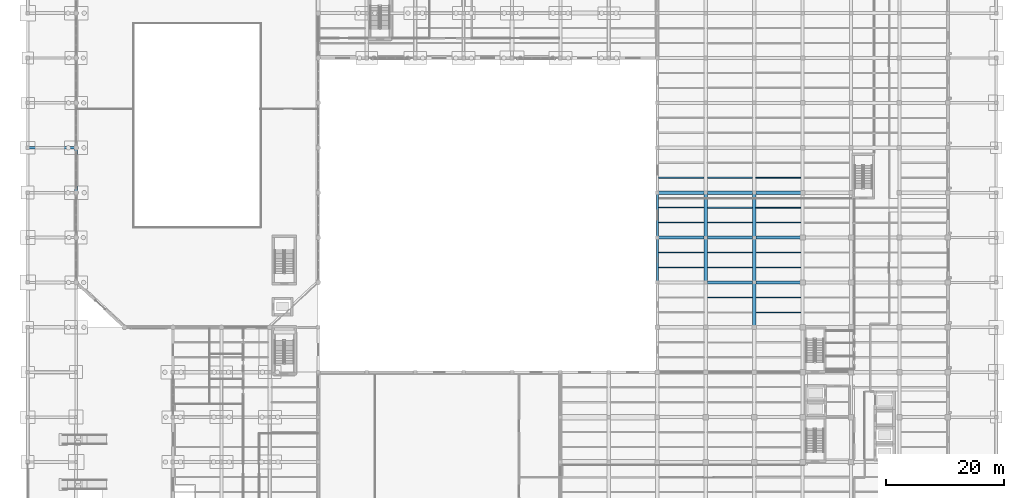
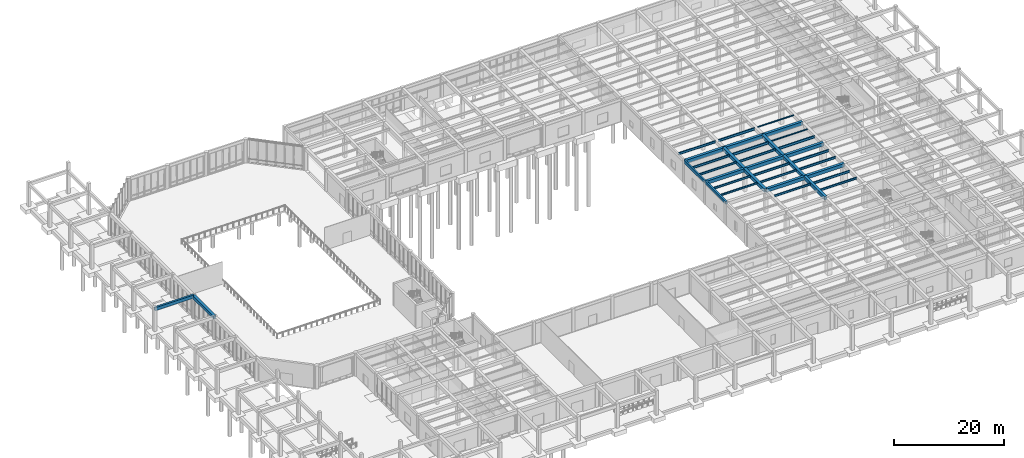
# One storey, part 19 of 64: 35 beams.
"""IFC4 building model written with IfcOpenShell, lengths in metres."""

from ifc_helpers import new_model, si_unit, direction, frame, origin, origin_2d, place, context, subcontext, project, spatial, rectangle, i_section, extrude, material, material_profile, profile_set, type_object, element, save


model = new_model("IFC4")

# Units and contexts
model_context = context("Model", 3, precision=1e-05, world=origin(), true_north=direction((0.0, 1.0)))
body_context = subcontext(model_context, "Body", "Model", "MODEL_VIEW")
ifc_project = project(units=[si_unit("LENGTHUNIT", "METRE"), si_unit("AREAUNIT", "SQUARE_METRE"), si_unit("VOLUMEUNIT", "CUBIC_METRE"), si_unit("PLANEANGLEUNIT", "RADIAN"), si_unit("MASSUNIT", "GRAM", prefix="KILO")], contexts=[model_context])

# Site, building, storey
site_placement = place(None, origin())
site = spatial("IfcSite", under=ifc_project, at=site_placement, CompositionType="ELEMENT")
building_placement = place(site_placement, origin())
building = spatial("IfcBuilding", under=site, at=building_placement, Name="Qandaris Square Conservatory and Botanical Centre", CompositionType="ELEMENT")
storey_placement = place(building_placement, origin())
storey = spatial("IfcBuildingStorey", under=building, at=storey_placement, Name="L00", CompositionType="ELEMENT", Elevation=0.0)

# Beams
ifc_material_1 = material(Name="Steel S355", Category="steel")
ifc_material_profile_1 = material_profile(ifc_material_1, i_section(OverallWidth=0.18994140625, OverallDepth=0.449951171875, WebThickness=0.009521484375, FlangeThickness=0.0146484375, FilletRadius=0.02099609375, at=origin_2d()), Name="IPE 450")
ifc_profile_set_1 = profile_set([ifc_material_profile_1], Name="Steel S355")
beam_type_1 = type_object("IfcBeamType", Name="Composite Archive Joist IPE 450", PredefinedType="JOIST", material=ifc_profile_set_1)
for number, where, z_axis, x_axis, name in (
    (1, (114.77490234375, 59.666748046875, 4.864990234375), (1.0, 0.0, 0.0), (0.0, 1.0, 0.0), "L00 Composite Joist 0776"),
    (2, (114.77490234375, 64.7333984375, 4.864990234375), (1.0, 0.0, 0.0), (0.0, 1.0, 0.0), "L00 Composite Joist 0777"),
):
    element("IfcBeam", number, at=place(storey_placement, frame(where, z_axis=z_axis, x_axis=x_axis)), inside=storey, type_object=beam_type_1, Name=name, PredefinedType="JOIST", context=body_context, shape_type="SweptSolid", body=[
        extrude(i_section(OverallWidth=0.18994140625, OverallDepth=0.449951171875, WebThickness=0.009521484375, FlangeThickness=0.0146484375, FilletRadius=0.02099609375, at=origin_2d()), origin(), (0.0, 0.0, 1.0), 7.75),
    ])
for number, where, z_axis, x_axis, name in (
    (3, (123.074951171875, 52.066650390625, 4.864990234375), (1.0, 0.0, 0.0), (0.0, 1.0, 0.0), "L00 Composite Joist 0798"),
    (4, (123.074951171875, 57.13330078125, 4.864990234375), (1.0, 0.0, 0.0), (0.0, 1.0, 0.0), "L00 Composite Joist 0799"),
    (5, (131.27490234375, 49.533203125, 4.864990234375), (1.0, 0.0, 0.0), (0.0, 1.0, 0.0), "L00 Composite Joist 0821"),
):
    element("IfcBeam", number, at=place(storey_placement, frame(where, z_axis=z_axis, x_axis=x_axis)), inside=storey, type_object=beam_type_1, Name=name, PredefinedType="JOIST", context=body_context, shape_type="SweptSolid", body=[
        extrude(i_section(OverallWidth=0.18994140625, OverallDepth=0.449951171875, WebThickness=0.009521484375, FlangeThickness=0.0146484375, FilletRadius=0.02099609375, at=origin_2d()), origin(), (0.0, 0.0, 1.0), 7.650146484375),
    ])
ifc_material_profile_2 = material_profile(ifc_material_1, i_section(OverallWidth=0.199951171875, OverallDepth=0.5, WebThickness=0.01025390625, FlangeThickness=0.01611328125, FilletRadius=0.02099609375, at=origin_2d()), Name="IPE 500")
ifc_profile_set_2 = profile_set([ifc_material_profile_2], Name="Steel S355")
beam_type_2 = type_object("IfcBeamType", Name="Composite Gallery Joist IPE 500", PredefinedType="JOIST", material=ifc_profile_set_2)
for number, where, z_axis, x_axis, name in (
    (6, (114.77490234375, 67.2666015625, 4.840087890625), (1.0, 0.0, 0.0), (0.0, 1.0, 0.0), "L00 Composite Joist 0778"),
    (7, (114.77490234375, 72.333251953125, 4.840087890625), (1.0, 0.0, 0.0), (0.0, 1.0, 0.0), "L00 Composite Joist 0779"),
):
    element("IfcBeam", number, at=place(storey_placement, frame(where, z_axis=z_axis, x_axis=x_axis)), inside=storey, type_object=beam_type_2, Name=name, PredefinedType="JOIST", context=body_context, shape_type="SweptSolid", body=[
        extrude(i_section(OverallWidth=0.199951171875, OverallDepth=0.5, WebThickness=0.01025390625, FlangeThickness=0.01611328125, FilletRadius=0.02099609375, at=origin_2d()), origin(), (0.0, 0.0, 1.0), 7.75),
    ])
for number, where, z_axis, x_axis, name in (
    (8, (123.074951171875, 59.666748046875, 4.840087890625), (1.0, 0.0, 0.0), (0.0, 1.0, 0.0), "L00 Composite Joist 0800"),
    (9, (123.074951171875, 64.7333984375, 4.840087890625), (1.0, 0.0, 0.0), (0.0, 1.0, 0.0), "L00 Composite Joist 0801"),
    (10, (131.27490234375, 52.066650390625, 4.840087890625), (1.0, 0.0, 0.0), (0.0, 1.0, 0.0), "L00 Composite Joist 0822"),
    (11, (131.27490234375, 57.13330078125, 4.840087890625), (1.0, 0.0, 0.0), (0.0, 1.0, 0.0), "L00 Composite Joist 0823"),
):
    element("IfcBeam", number, at=place(storey_placement, frame(where, z_axis=z_axis, x_axis=x_axis)), inside=storey, type_object=beam_type_2, Name=name, PredefinedType="JOIST", context=body_context, shape_type="SweptSolid", body=[
        extrude(i_section(OverallWidth=0.199951171875, OverallDepth=0.5, WebThickness=0.01025390625, FlangeThickness=0.01611328125, FilletRadius=0.02099609375, at=origin_2d()), origin(), (0.0, 0.0, 1.0), 7.650146484375),
    ])
ifc_material_profile_3 = material_profile(ifc_material_1, i_section(OverallWidth=0.179931640625, OverallDepth=0.39990234375, WebThickness=0.008544921875, FlangeThickness=0.013427734375, FilletRadius=0.02099609375, at=origin_2d()), Name="IPE 400")
ifc_profile_set_3 = profile_set([ifc_material_profile_3], Name="Steel S355")
beam_type_3 = type_object("IfcBeamType", Name="Composite Plinth Joist IPE 400", PredefinedType="JOIST", material=ifc_profile_set_3)
beam_1_placement = place(storey_placement, frame((114.77490234375, 57.13330078125, 4.889892578125), z_axis=(1.0, 0.0, 0.0), x_axis=(0.0, 1.0, 0.0)))
element("IfcBeam", 12, at=beam_1_placement, inside=storey, type_object=beam_type_3, Name="L00 Composite Joist 0775", PredefinedType="JOIST", context=body_context, shape_type="SweptSolid", body=[
    extrude(i_section(OverallWidth=0.179931640625, OverallDepth=0.39990234375, WebThickness=0.008544921875, FlangeThickness=0.013427734375, FilletRadius=0.02099609375, at=origin_2d()), origin(), (0.0, 0.0, 1.0), 7.75),
])
ifc_material_profile_4 = material_profile(ifc_material_1, i_section(OverallWidth=0.2099609375, OverallDepth=0.550048828125, WebThickness=0.010986328125, FlangeThickness=0.01708984375, FilletRadius=0.02392578125, at=origin_2d()), Name="IPE 550")
ifc_profile_set_4 = profile_set([ifc_material_profile_4], Name="Steel S355")
beam_type_4 = type_object("IfcBeamType", Name="Long-Span Foyer Joist IPE 550", PredefinedType="JOIST", material=ifc_profile_set_4)
for number, where, z_axis, x_axis, name in (
    (13, (123.074951171875, 67.2666015625, 4.81494140625), (1.0, 0.0, 0.0), (0.0, 1.0, 0.0), "L00 Composite Joist 0802"),
    (14, (123.074951171875, 72.333251953125, 4.81494140625), (1.0, 0.0, 0.0), (0.0, 1.0, 0.0), "L00 Composite Joist 0803"),
    (15, (131.27490234375, 59.666748046875, 4.81494140625), (1.0, 0.0, 0.0), (0.0, 1.0, 0.0), "L00 Composite Joist 0824"),
    (16, (131.27490234375, 64.7333984375, 4.81494140625), (1.0, 0.0, 0.0), (0.0, 1.0, 0.0), "L00 Composite Joist 0825"),
):
    element("IfcBeam", number, at=place(storey_placement, frame(where, z_axis=z_axis, x_axis=x_axis)), inside=storey, type_object=beam_type_4, Name=name, PredefinedType="JOIST", context=body_context, shape_type="SweptSolid", body=[
        extrude(i_section(OverallWidth=0.2099609375, OverallDepth=0.550048828125, WebThickness=0.010986328125, FlangeThickness=0.01708984375, FilletRadius=0.02392578125, at=origin_2d()), origin(), (0.0, 0.0, 1.0), 7.650146484375),
    ])
ifc_material_2 = material(Name="Concrete C50/60", Category="concrete")
ifc_material_profile_5 = material_profile(ifc_material_2, rectangle(XDim=0.39990234375, YDim=0.699951171875, at=origin_2d()), Name="RC-SP 400x700")
ifc_profile_set_5 = profile_set([ifc_material_profile_5], Name="Concrete C50/60")
beam_type_5 = type_object("IfcBeamType", Name="RC Colonnade Spandrel Beam 400x700", PredefinedType="SPANDREL", material=ifc_profile_set_5)
beam_2_placement = place(storey_placement, frame((8.0, 77.39990234375, 4.824951171875), z_axis=(1.0, 0.0, 0.0), x_axis=(0.0, 1.0, 0.0)))
element("IfcBeam", 17, at=beam_2_placement, inside=storey, type_object=beam_type_5, Name="L00 Frame Beam 0426", PredefinedType="SPANDREL", context=body_context, shape_type="SweptSolid", body=[
    extrude(rectangle(XDim=0.39990234375, YDim=0.699951171875, at=origin_2d()), origin(), (0.0, 0.0, 1.0), 8.199951171875),
])
ifc_material_profile_6 = material_profile(ifc_material_2, rectangle(XDim=0.35009765625, YDim=0.60009765625, at=origin_2d()), Name="RC-SP 350x600")
ifc_profile_set_6 = profile_set([ifc_material_profile_6], Name="Concrete C50/60")
beam_type_6 = type_object("IfcBeamType", Name="RC Edge Spandrel Beam 350x600", PredefinedType="SPANDREL", material=ifc_profile_set_6)
beam_3_placement = place(storey_placement, frame((114.60009765625, 54.60009765625, 4.800048828125), z_axis=(0.0, 1.0, 0.0), x_axis=(-1.0, 0.0, 0.0)))
element("IfcBeam", 18, at=beam_3_placement, inside=storey, type_object=beam_type_6, Name="L00 Frame Beam 0595", PredefinedType="SPANDREL", context=body_context, shape_type="SweptSolid", body=[
    extrude(rectangle(XDim=0.35009765625, YDim=0.60009765625, at=origin_2d()), origin(), (0.0, 0.0, 1.0), 7.599853515625),
])
beam_4_placement = place(storey_placement, frame((114.60009765625, 62.199951171875, 4.800048828125), z_axis=(0.0, 1.0, 0.0), x_axis=(-1.0, 0.0, 0.0)))
element("IfcBeam", 19, at=beam_4_placement, inside=storey, type_object=beam_type_6, Name="L00 Frame Beam 0596", PredefinedType="SPANDREL", context=body_context, shape_type="SweptSolid", body=[
    extrude(rectangle(XDim=0.35009765625, YDim=0.60009765625, at=origin_2d()), origin(), (0.0, 0.0, 1.0), 7.60009765625),
])
ifc_material_profile_7 = material_profile(ifc_material_2, rectangle(XDim=0.550048828125, YDim=0.75, at=origin_2d()), Name="RC-BM 550x750")
ifc_profile_set_7 = profile_set([ifc_material_profile_7], Name="Concrete C50/60")
beam_type_7 = type_object("IfcBeamType", Name="RC Plinth Girder 550x750", PredefinedType="BEAM", material=ifc_profile_set_7)
for number, where, z_axis, x_axis, name in (
    (20, (122.800048828125, 54.60009765625, 4.72509765625), (1.0, 0.0, 0.0), (0.0, 1.0, 0.0), "L00 Frame Beam 0405"),
    (21, (131.0, 54.60009765625, 4.72509765625), (1.0, 0.0, 0.0), (0.0, 1.0, 0.0), "L00 Frame Beam 0406"),
    (22, (114.60009765625, 62.199951171875, 4.72509765625), (1.0, 0.0, 0.0), (0.0, 1.0, 0.0), "L00 Frame Beam 0412"),
    (23, (122.800048828125, 62.199951171875, 4.72509765625), (1.0, 0.0, 0.0), (0.0, 1.0, 0.0), "L00 Frame Beam 0413"),
    (24, (131.0, 62.199951171875, 4.72509765625), (1.0, 0.0, 0.0), (0.0, 1.0, 0.0), "L00 Frame Beam 0414"),
    (25, (114.60009765625, 69.800048828125, 4.72509765625), (1.0, 0.0, 0.0), (0.0, 1.0, 0.0), "L00 Frame Beam 0420"),
    (26, (122.800048828125, 69.800048828125, 4.72509765625), (1.0, 0.0, 0.0), (0.0, 1.0, 0.0), "L00 Frame Beam 0421"),
    (27, (131.0, 69.800048828125, 4.72509765625), (1.0, 0.0, 0.0), (0.0, 1.0, 0.0), "L00 Frame Beam 0422"),
):
    element("IfcBeam", number, at=place(storey_placement, frame(where, z_axis=z_axis, x_axis=x_axis)), inside=storey, type_object=beam_type_7, Name=name, PredefinedType="BEAM", context=body_context, shape_type="SweptSolid", body=[
        extrude(rectangle(XDim=0.550048828125, YDim=0.75, at=origin_2d()), origin(), (0.0, 0.0, 1.0), 8.199951171875),
    ])
for number, where, z_axis, x_axis, name in (
    (28, (16.199951171875, 69.800048828125, 4.72509765625), (0.0, 1.0, 0.0), (-1.0, 0.0, 0.0), "L00 Frame Beam 0523"),
    (29, (122.800048828125, 54.60009765625, 4.72509765625), (0.0, 1.0, 0.0), (-1.0, 0.0, 0.0), "L00 Frame Beam 0609"),
):
    element("IfcBeam", number, at=place(storey_placement, frame(where, z_axis=z_axis, x_axis=x_axis)), inside=storey, type_object=beam_type_7, Name=name, PredefinedType="BEAM", context=body_context, shape_type="SweptSolid", body=[
        extrude(rectangle(XDim=0.550048828125, YDim=0.75, at=origin_2d()), origin(), (0.0, 0.0, 1.0), 7.599853515625),
    ])
for number, where, z_axis, x_axis, name in (
    (30, (122.800048828125, 62.199951171875, 4.72509765625), (0.0, 1.0, 0.0), (-1.0, 0.0, 0.0), "L00 Frame Beam 0610"),
    (31, (131.0, 47.0, 4.72509765625), (0.0, 1.0, 0.0), (-1.0, 0.0, 0.0), "L00 Frame Beam 0622"),
):
    element("IfcBeam", number, at=place(storey_placement, frame(where, z_axis=z_axis, x_axis=x_axis)), inside=storey, type_object=beam_type_7, Name=name, PredefinedType="BEAM", context=body_context, shape_type="SweptSolid", body=[
        extrude(rectangle(XDim=0.550048828125, YDim=0.75, at=origin_2d()), origin(), (0.0, 0.0, 1.0), 7.60009765625),
    ])
beam_5_placement = place(storey_placement, frame((131.0, 54.60009765625, 4.72509765625), z_axis=(0.0, 1.0, 0.0), x_axis=(-1.0, 0.0, 0.0)))
element("IfcBeam", 32, at=beam_5_placement, inside=storey, type_object=beam_type_7, Name="L00 Frame Beam 0623", PredefinedType="BEAM", context=body_context, shape_type="SweptSolid", body=[
    extrude(rectangle(XDim=0.550048828125, YDim=0.75, at=origin_2d()), origin(), (0.0, 0.0, 1.0), 7.599853515625),
])
beam_6_placement = place(storey_placement, frame((131.0, 62.199951171875, 4.72509765625), z_axis=(0.0, 1.0, 0.0), x_axis=(-1.0, 0.0, 0.0)))
element("IfcBeam", 33, at=beam_6_placement, inside=storey, type_object=beam_type_7, Name="L00 Frame Beam 0624", PredefinedType="BEAM", context=body_context, shape_type="SweptSolid", body=[
    extrude(rectangle(XDim=0.550048828125, YDim=0.75, at=origin_2d()), origin(), (0.0, 0.0, 1.0), 7.60009765625),
])
ifc_material_profile_8 = material_profile(ifc_material_1, i_section(OverallWidth=0.135009765625, OverallDepth=0.27001953125, WebThickness=0.006591796875, FlangeThickness=0.01025390625, FilletRadius=0.014892578125, at=origin_2d()), Name="IPE 270")
ifc_profile_set_8 = profile_set([ifc_material_profile_8], Name="Steel S355")
beam_type_8 = type_object("IfcBeamType", Name="Steel Floor Joist IPE 270", PredefinedType="JOIST", material=ifc_profile_set_8)
for number, where, z_axis, x_axis, name in (
    (34, (131.27490234375, 67.2666015625, 4.955078125), (1.0, 0.0, 0.0), (0.0, 1.0, 0.0), "L00 Composite Joist 0826"),
    (35, (131.27490234375, 72.333251953125, 4.955078125), (1.0, 0.0, 0.0), (0.0, 1.0, 0.0), "L00 Composite Joist 0827"),
):
    element("IfcBeam", number, at=place(storey_placement, frame(where, z_axis=z_axis, x_axis=x_axis)), inside=storey, type_object=beam_type_8, Name=name, PredefinedType="JOIST", context=body_context, shape_type="SweptSolid", body=[
        extrude(i_section(OverallWidth=0.135009765625, OverallDepth=0.27001953125, WebThickness=0.006591796875, FlangeThickness=0.01025390625, FilletRadius=0.014892578125, at=origin_2d()), origin(), (0.0, 0.0, 1.0), 7.650146484375),
    ])

save(model, "model.ifc")
